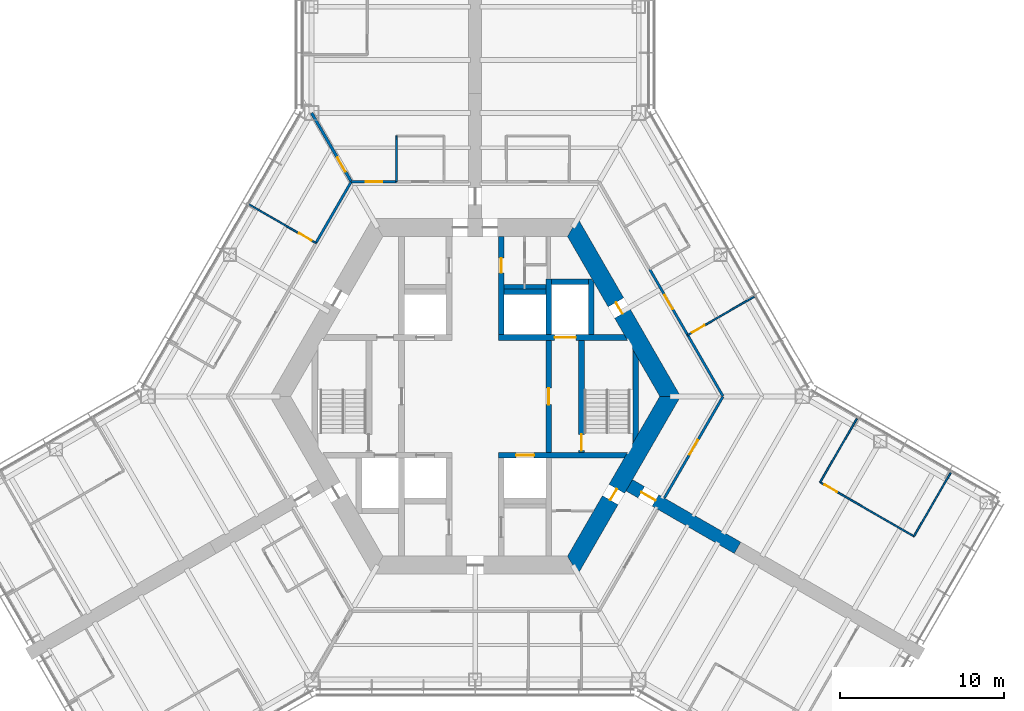
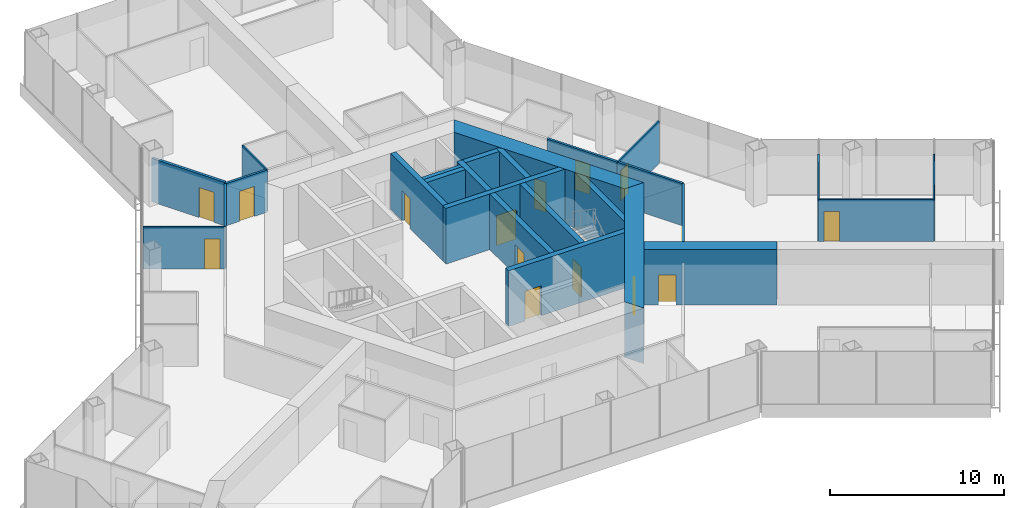
# One storey, part 14 of 18: 26 walls, 15 doors, 15 openings.
"""IFC4 building model written with IfcOpenShell, lengths in metres."""

from ifc_helpers import new_model, si_unit, direction, frame, frame_2d, origin, place, context, subcontext, project, spatial, polyline, rectangle, outline, extrude, material, layer, layer_set, type_object, element, fill, save


model = new_model("IFC4")

# Units and contexts
model_context = context("Model", 3, precision=1e-05, world=origin(), true_north=direction((0.0, 1.0)))
body_context = subcontext(model_context, "Body", "Model", "MODEL_VIEW")
ifc_project = project(units=[si_unit("LENGTHUNIT", "METRE"), si_unit("AREAUNIT", "SQUARE_METRE"), si_unit("VOLUMEUNIT", "CUBIC_METRE"), si_unit("PLANEANGLEUNIT", "RADIAN"), si_unit("MASSUNIT", "GRAM", prefix="KILO")], contexts=[model_context])

# Site, building, storey
site_placement = place(None, origin())
site = spatial("IfcSite", under=ifc_project, at=site_placement, CompositionType="ELEMENT")
building_placement = place(site_placement, origin())
building = spatial("IfcBuilding", under=site, at=building_placement, Name="Kasaneha Research Tower", CompositionType="ELEMENT")
storey_placement = place(building_placement, frame((0.0, 0.0, 108.0)))
storey = spatial("IfcBuildingStorey", under=building, at=storey_placement, Name="L27", CompositionType="ELEMENT", Elevation=108.0)

# Wall, opening, door
ifc_material_1 = material(Name="Concrete Fc80", Category="concrete")
ifc_layer_1 = layer(ifc_material_1, 0.35009765625)
ifc_layer_set_1 = layer_set([ifc_layer_1], Name="Core internal wall 350 Fc80")
wall_type_1 = type_object("IfcWallType", Name="Core internal wall 350 Fc80", PredefinedType="SHEAR", material=ifc_layer_set_1)
wall_1_placement = place(storey_placement, frame((1.425048828125, 3.60009765625, 0.0), z_axis=(0.0, 0.0, 1.0), x_axis=(1.0, 0.0, 0.0)))
wall_1 = element("IfcWall", 1, at=wall_1_placement, inside=storey, type_object=wall_type_1, Name="Core wall W1E L27", PredefinedType="SHEAR", context=body_context, shape_type="SweptSolid", body=[
    extrude(outline(polyline([(0.0, -0.175048828125), (3.425048828125, -0.175048828125), (4.72509765625, -0.175048828125), (7.884765625, -0.175048828125), (7.6826171875, 0.175048828125), (4.72509765625, 0.175048828125), (3.425048828125, 0.175048828125), (0.0, 0.175048828125), (0.0, -0.175048828125)])), origin(), (0.0, 0.0, 1.0), 3.89990234375),
])
opening_1_placement = place(wall_1_placement, frame((3.425048828125, 0.0, 0.0)))
opening_1 = element("IfcOpeningElement", 2, at=opening_1_placement, cuts=wall_1, Name="Opening LD-FL1-L27", PredefinedType="OPENING", context=body_context, shape_type="SweptSolid", body=[
    extrude(rectangle(XDim=1.300048828125, YDim=2.10009765625, at=frame_2d((0.64990234375, 1.050048828125))), frame((0.0, 0.18505859375, 0.0), z_axis=(0.0, -1.0, 0.0), x_axis=(1.0, 0.0, 0.0)), (0.0, 0.0, 1.0), 0.3701171875),
])
ifc_material_2 = material(Name="Steel", Category="steel")
door_type_1 = type_object("IfcDoorType", Name="Lift landing door 1300x2100", OperationType="DOUBLE_DOOR_SLIDING", PredefinedType="DOOR", material=ifc_material_2)
door_1_placement = place(opening_1_placement, origin())
door_1 = element("IfcDoor", 3, at=door_1_placement, inside=storey, type_object=door_type_1, Name="Landing door FL1 LD-FL1-L27", OperationType="DOUBLE_DOOR_SLIDING", OverallHeight=2.10009765625, OverallWidth=1.300048828125, PredefinedType="DOOR", context=body_context, shape_type="SweptSolid", body=[
    extrude(rectangle(XDim=1.300048828125, YDim=2.10009765625, at=frame_2d((0.64990234375, 1.050048828125))), frame((0.0, 0.02490234375, 0.0), z_axis=(0.0, -1.0, 0.0), x_axis=(1.0, 0.0, 0.0)), (0.0, 0.0, 1.0), 0.050048828125),
])
fill(opening_1, door_1)

wall_2_placement = place(storey_placement, frame((1.425048828125, -3.60009765625, 0.0), z_axis=(0.0, 0.0, 1.0), x_axis=(1.0, 0.0, 0.0)))
wall_2 = element("IfcWall", 4, at=wall_2_placement, inside=storey, type_object=wall_type_1, Name="Core wall W2E L27", PredefinedType="SHEAR", context=body_context, shape_type="SweptSolid", body=[
    extrude(outline(polyline([(0.0, -0.175048828125), (1.074951171875, -0.175048828125), (2.175048828125, -0.175048828125), (7.6826171875, -0.175048828125), (7.884765625, 0.175048828125), (2.175048828125, 0.175048828125), (1.074951171875, 0.175048828125), (0.0, 0.175048828125), (0.0, -0.175048828125)])), origin(), (0.0, 0.0, 1.0), 3.89990234375),
])
opening_2_placement = place(wall_2_placement, frame((1.074951171875, 0.0, 0.0)))
opening_2 = element("IfcOpeningElement", 5, at=opening_2_placement, cuts=wall_2, Name="Opening LD-LO3-L27", PredefinedType="OPENING", context=body_context, shape_type="SweptSolid", body=[
    extrude(rectangle(XDim=1.10009765625, YDim=2.10009765625, at=frame_2d((0.550048828125, 1.050048828125))), frame((0.0, 0.18505859375, 0.0), z_axis=(0.0, -1.0, 0.0), x_axis=(1.0, 0.0, 0.0)), (0.0, 0.0, 1.0), 0.3701171875),
])
ifc_material_3 = material(Name="Steel", Category="steel")
door_type_2 = type_object("IfcDoorType", Name="Lift landing door 1100x2100", OperationType="DOUBLE_DOOR_SLIDING", PredefinedType="DOOR", material=ifc_material_3)
door_2_placement = place(opening_2_placement, origin())
door_2 = element("IfcDoor", 6, at=door_2_placement, inside=storey, type_object=door_type_2, Name="Landing door LO3 LD-LO3-L27", OperationType="DOUBLE_DOOR_SLIDING", OverallHeight=2.10009765625, OverallWidth=1.10009765625, PredefinedType="DOOR", context=body_context, shape_type="SweptSolid", body=[
    extrude(rectangle(XDim=1.10009765625, YDim=2.10009765625, at=frame_2d((0.550048828125, 1.050048828125))), frame((0.0, 0.02490234375, 0.0), z_axis=(0.0, -1.0, 0.0), x_axis=(1.0, 0.0, 0.0)), (0.0, 0.0, 1.0), 0.050048828125),
])
fill(opening_2, door_2)

wall_3_placement = place(storey_placement, frame((1.60009765625, 3.77490234375, 0.0), z_axis=(0.0, 0.0, 1.0), x_axis=(0.0, 1.0, 0.0)))
wall_3 = element("IfcWall", 7, at=wall_3_placement, inside=storey, type_object=wall_type_1, Name="Core wall CNE L27", PredefinedType="SHEAR", context=body_context, shape_type="SweptSolid", body=[
    extrude(rectangle(XDim=6.0, YDim=0.35009765625, at=frame_2d((3.0, 0.0))), origin(), (0.0, 0.0, 1.0), 3.89990234375),
])
opening_3_placement = place(wall_3_placement, frame((3.77490234375, 0.0, 0.0)))
opening_3 = element("IfcOpeningElement", 8, at=opening_3_placement, cuts=wall_3, Name="Opening L27-D14", PredefinedType="OPENING", context=body_context, shape_type="SweptSolid", body=[
    extrude(rectangle(XDim=0.89990234375, YDim=2.10009765625, at=frame_2d((0.449951171875, 1.050048828125))), frame((0.0, 0.18505859375, 0.0), z_axis=(0.0, -1.0, 0.0), x_axis=(1.0, 0.0, 0.0)), (0.0, 0.0, 1.0), 0.3701171875),
])
ifc_material_4 = material(Name="Steel", Category="steel")
door_type_3 = type_object("IfcDoorType", Name="Toilet door FD20 900x2100", OperationType="NOTDEFINED", PredefinedType="DOOR", material=ifc_material_4)
door_3_placement = place(opening_3_placement, origin())
door_3 = element("IfcDoor", 9, at=door_3_placement, inside=storey, type_object=door_type_3, Name="Women's WC door L27-D14", OperationType="SINGLE_SWING_LEFT", OverallHeight=2.10009765625, OverallWidth=0.89990234375, PredefinedType="DOOR", context=body_context, shape_type="SweptSolid", body=[
    extrude(rectangle(XDim=0.89990234375, YDim=2.10009765625, at=frame_2d((0.449951171875, 1.050048828125))), frame((0.0, 0.02490234375, 0.0), z_axis=(0.0, -1.0, 0.0), x_axis=(1.0, 0.0, 0.0)), (0.0, 0.0, 1.0), 0.050048828125),
])
fill(opening_3, door_3)

wall_4_placement = place(storey_placement, frame((4.5, -3.425048828125, 0.0), z_axis=(0.0, 0.0, 1.0), x_axis=(0.0, 1.0, 0.0)))
wall_4 = element("IfcWall", 10, at=wall_4_placement, inside=storey, type_object=wall_type_1, Name="Core wall LBE L27", PredefinedType="SHEAR", context=body_context, shape_type="SweptSolid", body=[
    extrude(rectangle(XDim=6.85009765625, YDim=0.35009765625, at=frame_2d((3.425048828125, 0.0))), origin(), (0.0, 0.0, 1.0), 3.89990234375),
])
opening_4_placement = place(wall_4_placement, frame((2.925048828125, 0.0, 0.0)))
opening_4 = element("IfcOpeningElement", 11, at=opening_4_placement, cuts=wall_4, Name="Opening L27-D08", PredefinedType="OPENING", context=body_context, shape_type="SweptSolid", body=[
    extrude(rectangle(XDim=1.0, YDim=2.10009765625, at=frame_2d((0.5, 1.050048828125))), frame((0.0, 0.18505859375, 0.0), z_axis=(0.0, -1.0, 0.0), x_axis=(1.0, 0.0, 0.0)), (0.0, 0.0, 1.0), 0.3701171875),
])
ifc_material_5 = material(Name="Steel", Category="steel")
door_type_4 = type_object("IfcDoorType", Name="Specified fire door FD60 1000x2100", OperationType="NOTDEFINED", PredefinedType="DOOR", material=ifc_material_5)
door_4_placement = place(opening_4_placement, origin())
door_4 = element("IfcDoor", 12, at=door_4_placement, inside=storey, type_object=door_type_4, Name="Lift lobby door east L27-D08", OperationType="SINGLE_SWING_LEFT", OverallHeight=2.10009765625, OverallWidth=1.0, PredefinedType="DOOR", context=body_context, shape_type="SweptSolid", body=[
    extrude(rectangle(XDim=1.0, YDim=2.10009765625, at=frame_2d((0.5, 1.050048828125))), frame((0.0, 0.02490234375, 0.0), z_axis=(0.0, -1.0, 0.0), x_axis=(1.0, 0.0, 0.0)), (0.0, 0.0, 1.0), 0.050048828125),
])
fill(opening_4, door_4)

wall_5_placement = place(storey_placement, frame((6.5, -3.425048828125, 0.0), z_axis=(0.0, 0.0, 1.0), x_axis=(0.0, 1.0, 0.0)))
wall_5 = element("IfcWall", 13, at=wall_5_placement, inside=storey, type_object=wall_type_1, Name="Core wall ANE L27", PredefinedType="SHEAR", context=body_context, shape_type="SweptSolid", body=[
    extrude(rectangle(XDim=6.85009765625, YDim=0.35009765625, at=frame_2d((3.425048828125, 0.0))), origin(), (0.0, 0.0, 1.0), 3.89990234375),
])
opening_5_placement = place(wall_5_placement, frame((0.10009765625, 0.0, 0.0)))
opening_5 = element("IfcOpeningElement", 14, at=opening_5_placement, cuts=wall_5, Name="Opening L27-D10", PredefinedType="OPENING", context=body_context, shape_type="SweptSolid", body=[
    extrude(rectangle(XDim=1.0, YDim=2.10009765625, at=frame_2d((0.5, 1.050048828125))), frame((0.0, 0.18505859375, 0.0), z_axis=(0.0, -1.0, 0.0), x_axis=(1.0, 0.0, 0.0)), (0.0, 0.0, 1.0), 0.3701171875),
])
door_5_placement = place(opening_5_placement, origin())
door_5 = element("IfcDoor", 15, at=door_5_placement, inside=storey, type_object=door_type_4, Name="Stair 1 door L27-D10", OperationType="SINGLE_SWING_LEFT", OverallHeight=2.10009765625, OverallWidth=1.0, PredefinedType="DOOR", context=body_context, shape_type="SweptSolid", body=[
    extrude(rectangle(XDim=1.0, YDim=2.10009765625, at=frame_2d((0.5, 1.050048828125))), frame((0.0, 0.02490234375, 0.0), z_axis=(0.0, -1.0, 0.0), x_axis=(1.0, 0.0, 0.0)), (0.0, 0.0, 1.0), 0.050048828125),
])
fill(opening_5, door_5)

# Walls
wall_6_placement = place(storey_placement, frame((4.5, 3.77490234375, 0.0), z_axis=(0.0, 0.0, 1.0), x_axis=(0.0, 1.0, 0.0)))
element("IfcWall", 16, at=wall_6_placement, inside=storey, type_object=wall_type_1, Name="Core wall FNE L27", PredefinedType="SHEAR", context=body_context, shape_type="SweptSolid", body=[
    extrude(rectangle(XDim=3.400146484375, YDim=0.35009765625, at=frame_2d((1.7001953125, 0.0))), origin(), (0.0, 0.0, 1.0), 3.89990234375),
])
wall_7_placement = place(storey_placement, frame((1.77490234375, 6.39990234375, 0.0), z_axis=(0.0, 0.0, 1.0), x_axis=(1.0, 0.0, 0.0)))
element("IfcWall", 17, at=wall_7_placement, inside=storey, type_object=wall_type_1, Name="Core wall N3N L27", PredefinedType="SHEAR", context=body_context, shape_type="SweptSolid", body=[
    extrude(rectangle(XDim=2.550048828125, YDim=0.35009765625, at=frame_2d((1.27490234375, 0.0))), origin(), (0.0, 0.0, 1.0), 3.89990234375),
])
wall_8_placement = place(storey_placement, frame((4.675048828125, 7.0, 0.0), z_axis=(0.0, 0.0, 1.0), x_axis=(1.0, 0.0, 0.0)))
element("IfcWall", 18, at=wall_8_placement, inside=storey, type_object=wall_type_1, Name="Core wall F1N L27", PredefinedType="SHEAR", context=body_context, shape_type="SweptSolid", body=[
    extrude(rectangle(XDim=2.25, YDim=0.35009765625, at=frame_2d((1.125, 0.0))), origin(), (0.0, 0.0, 1.0), 3.89990234375),
])
wall_9_placement = place(storey_placement, frame((7.10009765625, 3.77490234375, 0.0), z_axis=(0.0, 0.0, 1.0), x_axis=(0.0, 1.0, 0.0)))
element("IfcWall", 19, at=wall_9_placement, inside=storey, type_object=wall_type_1, Name="Core wall F1E L27", PredefinedType="SHEAR", context=body_context, shape_type="SweptSolid", body=[
    extrude(outline(polyline([(0.0, -0.175048828125), (3.174560546875, -0.175048828125), (3.400146484375, 0.0), (3.400146484375, 0.175048828125), (0.0, 0.175048828125), (0.0, -0.175048828125)])), origin(), (0.0, 0.0, 1.0), 3.89990234375),
])
wall_10_placement = place(storey_placement, frame((9.807861328125, -2.562255859375, 0.0), z_axis=(0.0, 0.0, 1.0), x_axis=(0.0, 1.0, 0.0)))
element("IfcWall", 20, at=wall_10_placement, inside=storey, type_object=wall_type_1, Name="Core wall STE L27", PredefinedType="SHEAR", context=body_context, shape_type="SweptSolid", body=[
    extrude(outline(polyline([(0.30322265625, -0.175048828125), (4.8212890625, -0.175048828125), (5.427734375, 0.175048828125), (-0.30322265625, 0.175048828125), (0.30322265625, -0.175048828125)])), origin(), (0.0, 0.0, 1.0), 3.89990234375),
])

# Wall, opening, door
ifc_material_6 = material(Name="Concrete Fc80", Category="concrete")
ifc_layer_2 = layer(ifc_material_6, 1.10009765625)
ifc_layer_set_2 = layer_set([ifc_layer_2], Name="Core wall 1100 Fc80")
wall_type_2 = type_object("IfcWallType", Name="Core wall 1100 Fc80", PredefinedType="SHEAR", material=ifc_layer_set_2)
wall_11_placement = place(storey_placement, frame((11.92236328125, 0.0, 0.0), z_axis=(0.0, 0.0, 1.0), x_axis=(-0.500004296715, 0.866022923061, 0.0)))
wall_11 = element("IfcWall", 21, at=wall_11_placement, inside=storey, type_object=wall_type_2, Name="Core wall 030 L27", PredefinedType="SHEAR", context=body_context, shape_type="SweptSolid", body=[
    extrude(outline(polyline([(-0.317626953125, -0.550048828125), (5.83544921875, -0.550048828125), (6.635498046875, -0.550048828125), (12.239990234375, -0.550048828125), (11.604736328125, 0.550048828125), (6.635498046875, 0.550048828125), (5.83544921875, 0.550048828125), (0.317626953125, 0.550048828125), (-0.317626953125, -0.550048828125)])), origin(), (0.0, 0.0, 1.0), 3.89990234375),
])
opening_6_placement = place(wall_11_placement, frame((5.83544921875, 0.0, 0.0)))
opening_6 = element("IfcOpeningElement", 22, at=opening_6_placement, cuts=wall_11, Name="Opening L27-D04", PredefinedType="OPENING", context=body_context, shape_type="SweptSolid", body=[
    extrude(rectangle(XDim=0.800048828125, YDim=2.10009765625, at=frame_2d((0.39990234375, 1.050048828125))), frame((0.0, 0.56005859375, 0.0), z_axis=(0.0, -1.0, 0.0), x_axis=(1.0, 0.0, 0.0)), (0.0, 0.0, 1.0), 1.1201171875),
])
ifc_material_7 = material(Name="Steel", Category="steel")
door_type_5 = type_object("IfcDoorType", Name="Riser access door FD60 800x2100", OperationType="NOTDEFINED", PredefinedType="DOOR", material=ifc_material_7)
door_6_placement = place(opening_6_placement, origin())
door_6 = element("IfcDoor", 23, at=door_6_placement, inside=storey, type_object=door_type_5, Name="Pipe riser door L27-D04", OperationType="SINGLE_SWING_RIGHT", OverallHeight=2.10009765625, OverallWidth=0.800048828125, PredefinedType="DOOR", context=body_context, shape_type="SweptSolid", body=[
    extrude(rectangle(XDim=0.800048828125, YDim=2.10009765625, at=frame_2d((0.39990234375, 1.050048828125))), frame((0.0, 0.02490234375, 0.0), z_axis=(0.0, -1.0, 0.0), x_axis=(1.0, 0.0, 0.0)), (0.0, 0.0, 1.0), 0.050048828125),
])
fill(opening_6, door_6)

wall_12_placement = place(storey_placement, frame((5.961181640625, -10.324951171875, 0.0), z_axis=(0.0, 0.0, 1.0), x_axis=(0.500004296715, 0.866022923061, 0.0)))
wall_12 = element("IfcWall", 24, at=wall_12_placement, inside=storey, type_object=wall_type_2, Name="Core wall 330 L27", PredefinedType="SHEAR", context=body_context, shape_type="SweptSolid", body=[
    extrude(outline(polyline([(-0.317626953125, -0.550048828125), (4.593994140625, -0.550048828125), (5.39404296875, -0.550048828125), (12.239990234375, -0.550048828125), (11.604736328125, 0.550048828125), (5.39404296875, 0.550048828125), (4.593994140625, 0.550048828125), (0.317626953125, 0.550048828125), (-0.317626953125, -0.550048828125)])), origin(), (0.0, 0.0, 1.0), 3.89990234375),
])
opening_7_placement = place(wall_12_placement, frame((4.593994140625, 0.0, 0.0)))
opening_7 = element("IfcOpeningElement", 25, at=opening_7_placement, cuts=wall_12, Name="Opening L27-D05", PredefinedType="OPENING", context=body_context, shape_type="SweptSolid", body=[
    extrude(rectangle(XDim=0.800048828125, YDim=2.10009765625, at=frame_2d((0.39990234375, 1.050048828125))), frame((0.0, 0.56005859375, 0.0), z_axis=(0.0, -1.0, 0.0), x_axis=(1.0, 0.0, 0.0)), (0.0, 0.0, 1.0), 1.1201171875),
])
door_7_placement = place(opening_7_placement, origin())
door_7 = element("IfcDoor", 26, at=door_7_placement, inside=storey, type_object=door_type_5, Name="Pipe riser door L27-D05", OperationType="SINGLE_SWING_LEFT", OverallHeight=2.10009765625, OverallWidth=0.800048828125, PredefinedType="DOOR", context=body_context, shape_type="SweptSolid", body=[
    extrude(rectangle(XDim=0.800048828125, YDim=2.10009765625, at=frame_2d((0.39990234375, 1.050048828125))), frame((0.0, 0.02490234375, 0.0), z_axis=(0.0, -1.0, 0.0), x_axis=(1.0, 0.0, 0.0)), (0.0, 0.0, 1.0), 0.050048828125),
])
fill(opening_7, door_7)

ifc_material_8 = material(Name="Gypsum board on steel studs, one layer each side", Category="steel")
ifc_layer_3 = layer(ifc_material_8, 0.10009765625)
ifc_layer_set_3 = layer_set([ifc_layer_3], Name="Office partition 100")
wall_type_3 = type_object("IfcWallType", Name="Office partition 100", PredefinedType="PARTITIONING", material=ifc_layer_set_3)
wall_13_placement = place(storey_placement, frame((12.991943359375, 3.747314453125, 0.0), z_axis=(0.0, 0.0, 1.0), x_axis=(0.865555596133, 0.500812849279, 0.0)))
wall_13 = element("IfcWall", 27, at=wall_13_placement, inside=storey, type_object=wall_type_3, Name="Office partition FAE14 L27", PredefinedType="PARTITIONING", context=body_context, shape_type="SweptSolid", body=[
    extrude(rectangle(XDim=4.695556640625, YDim=0.10009765625, at=frame_2d((2.34765625, 0.0))), origin(), (0.0, 0.0, 1.0), 2.949951171875),
])
opening_8_placement = place(wall_13_placement, frame((0.300048828125, 0.0, 0.0)))
opening_8 = element("IfcOpeningElement", 28, at=opening_8_placement, cuts=wall_13, Name="Opening L27-D28", PredefinedType="OPENING", context=body_context, shape_type="SweptSolid", body=[
    extrude(rectangle(XDim=0.89990234375, YDim=2.10009765625, at=frame_2d((0.449951171875, 1.050048828125))), frame((0.0, 0.06005859375, 0.0), z_axis=(0.0, -1.0, 0.0), x_axis=(1.0, 0.0, 0.0)), (0.0, 0.0, 1.0), 0.1201171875),
])
ifc_material_9 = material(Name="Timber veneer", Category="wood")
door_type_6 = type_object("IfcDoorType", Name="Office door 900x2100", OperationType="SINGLE_SWING_LEFT", PredefinedType="DOOR", material=ifc_material_9)
door_8_placement = place(opening_8_placement, origin())
door_8 = element("IfcDoor", 29, at=door_8_placement, inside=storey, type_object=door_type_6, Name="Board meeting room door L27-D28", OperationType="SINGLE_SWING_LEFT", OverallHeight=2.10009765625, OverallWidth=0.89990234375, PredefinedType="DOOR", context=body_context, shape_type="SweptSolid", body=[
    extrude(rectangle(XDim=0.89990234375, YDim=2.10009765625, at=frame_2d((0.449951171875, 1.050048828125))), frame((0.0, 0.02490234375, 0.0), z_axis=(0.0, -1.0, 0.0), x_axis=(1.0, 0.0, 0.0)), (0.0, 0.0, 1.0), 0.050048828125),
])
fill(opening_8, door_8)

# Wall
wall_14_placement = place(storey_placement, frame((-4.8125, 13.125, 0.0), z_axis=(0.0, 0.0, 1.0), x_axis=(-0.001569446145, 0.999998768419, 0.0)))
element("IfcWall", 30, at=wall_14_placement, inside=storey, type_object=wall_type_3, Name="Office partition FAW05 L27", PredefinedType="PARTITIONING", context=body_context, shape_type="SweptSolid", body=[
    extrude(rectangle(XDim=2.800048828125, YDim=0.10009765625, at=frame_2d((1.39990234375, 0.0))), origin(), (0.0, 0.0, 1.0), 2.949951171875),
])

# Wall, opening, door
wall_15_placement = place(storey_placement, frame((-9.7412109375, 9.377685546875, 0.0), z_axis=(0.0, 0.0, 1.0), x_axis=(-0.866493666502, 0.499188066675, 0.0)))
wall_15 = element("IfcWall", 31, at=wall_15_placement, inside=storey, type_object=wall_type_3, Name="Office partition FBN04 L27", PredefinedType="PARTITIONING", context=body_context, shape_type="SweptSolid", body=[
    extrude(rectangle(XDim=4.720458984375, YDim=0.10009765625, at=frame_2d((2.3603515625, 0.0))), origin(), (0.0, 0.0, 1.0), 2.949951171875),
])
opening_9_placement = place(wall_15_placement, frame((0.300048828125, 0.0, 0.0)))
opening_9 = element("IfcOpeningElement", 32, at=opening_9_placement, cuts=wall_15, Name="Opening L27-D35", PredefinedType="OPENING", context=body_context, shape_type="SweptSolid", body=[
    extrude(rectangle(XDim=0.89990234375, YDim=2.10009765625, at=frame_2d((0.449951171875, 1.050048828125))), frame((0.0, 0.06005859375, 0.0), z_axis=(0.0, -1.0, 0.0), x_axis=(1.0, 0.0, 0.0)), (0.0, 0.0, 1.0), 0.1201171875),
])
door_9_placement = place(opening_9_placement, origin())
door_9 = element("IfcDoor", 33, at=door_9_placement, inside=storey, type_object=door_type_6, Name="Reception room door L27-D35", OperationType="SINGLE_SWING_LEFT", OverallHeight=2.10009765625, OverallWidth=0.89990234375, PredefinedType="DOOR", context=body_context, shape_type="SweptSolid", body=[
    extrude(rectangle(XDim=0.89990234375, YDim=2.10009765625, at=frame_2d((0.449951171875, 1.050048828125))), frame((0.0, 0.02490234375, 0.0), z_axis=(0.0, -1.0, 0.0), x_axis=(1.0, 0.0, 0.0)), (0.0, 0.0, 1.0), 0.050048828125),
])
fill(opening_9, door_9)

# Wall
wall_16_placement = place(storey_placement, frame((21.09228515625, -5.24951171875, 0.0), z_axis=(0.0, 0.0, 1.0), x_axis=(0.499989762656, 0.866031314237, 0.0)))
element("IfcWall", 34, at=wall_16_placement, inside=storey, type_object=wall_type_3, Name="Office partition FCE02 L27", PredefinedType="PARTITIONING", context=body_context, shape_type="SweptSolid", body=[
    extrude(rectangle(XDim=4.47998046875, YDim=0.10009765625, at=frame_2d((2.239990234375, 0.0))), origin(), (0.0, 0.0, 1.0), 2.949951171875),
])

# Wall, opening, door
wall_17_placement = place(storey_placement, frame((26.824951171875, -8.55908203125, 0.0), z_axis=(0.0, 0.0, 1.0), x_axis=(-0.866037567856, 0.499978930619, 0.0)))
wall_17 = element("IfcWall", 35, at=wall_17_placement, inside=storey, type_object=wall_type_3, Name="Office partition FCE03 L27", PredefinedType="PARTITIONING", context=body_context, shape_type="SweptSolid", body=[
    extrude(rectangle(XDim=6.619384765625, YDim=0.10009765625, at=frame_2d((3.3095703125, 0.0))), origin(), (0.0, 0.0, 1.0), 2.949951171875),
])
opening_10_placement = place(wall_17_placement, frame((5.419677734375, 0.0, 0.0)))
opening_10 = element("IfcOpeningElement", 36, at=opening_10_placement, cuts=wall_17, Name="Opening L27-D45", PredefinedType="OPENING", context=body_context, shape_type="SweptSolid", body=[
    extrude(rectangle(XDim=0.89990234375, YDim=2.10009765625, at=frame_2d((0.449951171875, 1.050048828125))), frame((0.0, 0.06005859375, 0.0), z_axis=(0.0, -1.0, 0.0), x_axis=(1.0, 0.0, 0.0)), (0.0, 0.0, 1.0), 0.1201171875),
])
door_10_placement = place(opening_10_placement, origin())
door_10 = element("IfcDoor", 37, at=door_10_placement, inside=storey, type_object=door_type_6, Name="Large meeting room door L27-D45", OperationType="SINGLE_SWING_RIGHT", OverallHeight=2.10009765625, OverallWidth=0.89990234375, PredefinedType="DOOR", context=body_context, shape_type="SweptSolid", body=[
    extrude(rectangle(XDim=0.89990234375, YDim=2.10009765625, at=frame_2d((0.449951171875, 1.050048828125))), frame((0.0, 0.02490234375, 0.0), z_axis=(0.0, -1.0, 0.0), x_axis=(1.0, 0.0, 0.0)), (0.0, 0.0, 1.0), 0.050048828125),
])
fill(opening_10, door_10)

# Wall
wall_18_placement = place(storey_placement, frame((29.074951171875, -4.662109375, 0.0), z_axis=(0.0, 0.0, 1.0), x_axis=(-0.500013631625, -0.866017533419, 0.0)))
element("IfcWall", 38, at=wall_18_placement, inside=storey, type_object=wall_type_3, Name="Office partition FCE04 L27", PredefinedType="PARTITIONING", context=body_context, shape_type="SweptSolid", body=[
    extrude(rectangle(XDim=4.499755859375, YDim=0.10009765625, at=frame_2d((2.25, 0.0))), origin(), (0.0, 0.0, 1.0), 2.949951171875),
])

# Wall, opening, door
ifc_material_10 = material(Name="Concrete Fc80", Category="concrete")
ifc_layer_4 = layer(ifc_material_10, 0.800048828125)
ifc_layer_set_4 = layer_set([ifc_layer_4], Name="Spine wall 800 Fc80")
wall_type_4 = type_object("IfcWallType", Name="Spine wall 800 Fc80", PredefinedType="SHEAR", material=ifc_layer_set_4)
wall_19_placement = place(storey_placement, frame((9.41796875, -5.4375, 0.0), z_axis=(0.0, 0.0, 1.0), x_axis=(0.866029782078, -0.499992416496, 0.0)))
wall_19 = element("IfcWall", 39, at=wall_19_placement, inside=storey, type_object=wall_type_4, Name="Spine wall C L27", PredefinedType="SHEAR", context=body_context, shape_type="SweptSolid", body=[
    extrude(rectangle(XDim=7.6455078125, YDim=0.800048828125, at=frame_2d((3.82275390625, 0.0))), origin(), (0.0, 0.0, 1.0), 3.89990234375),
])
opening_11_placement = place(wall_19_placement, frame((0.85009765625, 0.0, 0.0)))
opening_11 = element("IfcOpeningElement", 40, at=opening_11_placement, cuts=wall_19, Name="Opening L27-D19", PredefinedType="OPENING", context=body_context, shape_type="SweptSolid", body=[
    extrude(rectangle(XDim=1.0, YDim=2.10009765625, at=frame_2d((0.5, 1.050048828125))), frame((0.0, 0.41015625, 0.0), z_axis=(0.0, -1.0, 0.0), x_axis=(1.0, 0.0, 0.0)), (0.0, 0.0, 1.0), 0.820068359375),
])
door_11_placement = place(opening_11_placement, origin())
door_11 = element("IfcDoor", 41, at=door_11_placement, inside=storey, type_object=door_type_4, Name="Spine doorway C L27-D19", OperationType="SINGLE_SWING_LEFT", OverallHeight=2.10009765625, OverallWidth=1.0, PredefinedType="DOOR", context=body_context, shape_type="SweptSolid", body=[
    extrude(rectangle(XDim=1.0, YDim=2.10009765625, at=frame_2d((0.5, 1.050048828125))), frame((0.0, 0.02490234375, 0.0), z_axis=(0.0, -1.0, 0.0), x_axis=(1.0, 0.0, 0.0)), (0.0, 0.0, 1.0), 0.050048828125),
])
fill(opening_11, door_11)

# Wall
ifc_material_11 = material(Name="Gypsum board on steel studs, two layers each side", Category="steel")
ifc_layer_5 = layer(ifc_material_11, 0.14990234375)
ifc_layer_set_5 = layer_set([ifc_layer_5], Name="Suite partition 150")
wall_type_5 = type_object("IfcWallType", Name="Suite partition 150", PredefinedType="PARTITIONING", material=ifc_layer_set_5)
wall_20_placement = place(storey_placement, frame((12.9873046875, 3.75537109375, 0.0), z_axis=(0.0, 0.0, 1.0), x_axis=(0.499980509014, -0.866036656618, 0.0)))
element("IfcWall", 42, at=wall_20_placement, inside=storey, type_object=wall_type_5, Name="Suite partition FAE03 L27", PredefinedType="PARTITIONING", context=body_context, shape_type="SweptSolid", body=[
    extrude(rectangle(XDim=4.313232421875, YDim=0.14990234375, at=frame_2d((2.15673828125, 0.0))), origin(), (0.0, 0.0, 1.0), 2.949951171875),
])

# Wall, opening, door
wall_21_placement = place(storey_placement, frame((10.664306640625, 7.77880859375, 0.0), z_axis=(0.0, 0.0, 1.0), x_axis=(0.500008456887, -0.866020521143, 0.0)))
wall_21 = element("IfcWall", 43, at=wall_21_placement, inside=storey, type_object=wall_type_5, Name="Suite partition FAE07 L27", PredefinedType="PARTITIONING", context=body_context, shape_type="SweptSolid", body=[
    extrude(rectangle(XDim=4.6552734375, YDim=0.14990234375, at=frame_2d((2.32763671875, 0.0))), origin(), (0.0, 0.0, 1.0), 2.949951171875),
])
opening_12_placement = place(wall_21_placement, frame((1.82763671875, 0.0, 0.0)))
opening_12 = element("IfcOpeningElement", 44, at=opening_12_placement, cuts=wall_21, Name="Opening L27-D26", PredefinedType="OPENING", context=body_context, shape_type="SweptSolid", body=[
    extrude(rectangle(XDim=1.0, YDim=2.10009765625, at=frame_2d((0.5, 1.050048828125))), frame((0.0, 0.0849609375, 0.0), z_axis=(0.0, -1.0, 0.0), x_axis=(1.0, 0.0, 0.0)), (0.0, 0.0, 1.0), 0.169921875),
])
ifc_material_12 = material(Name="Steel", Category="steel")
door_type_7 = type_object("IfcDoorType", Name="Suite entrance door FD60 1000x2100", OperationType="NOTDEFINED", PredefinedType="DOOR", material=ifc_material_12)
door_12_placement = place(opening_12_placement, origin())
door_12 = element("IfcDoor", 45, at=door_12_placement, inside=storey, type_object=door_type_7, Name="Suite entrance door L27-D26", OperationType="SINGLE_SWING_LEFT", OverallHeight=2.10009765625, OverallWidth=1.0, PredefinedType="DOOR", context=body_context, shape_type="SweptSolid", body=[
    extrude(rectangle(XDim=1.0, YDim=2.10009765625, at=frame_2d((0.5, 1.050048828125))), frame((0.0, 0.02490234375, 0.0), z_axis=(0.0, -1.0, 0.0), x_axis=(1.0, 0.0, 0.0)), (0.0, 0.0, 1.0), 0.050048828125),
])
fill(opening_12, door_12)

wall_22_placement = place(storey_placement, frame((-7.5546875, 13.125, 0.0), z_axis=(0.0, 0.0, 1.0), x_axis=(1.0, 0.0, 0.0)))
wall_22 = element("IfcWall", 46, at=wall_22_placement, inside=storey, type_object=wall_type_5, Name="Suite partition FAW02 L27", PredefinedType="PARTITIONING", context=body_context, shape_type="SweptSolid", body=[
    extrude(rectangle(XDim=2.7421875, YDim=0.14990234375, at=frame_2d((1.37109375, 0.0))), origin(), (0.0, 0.0, 1.0), 2.949951171875),
])
opening_13_placement = place(wall_22_placement, frame((0.87109375, 0.0, 0.0)))
opening_13 = element("IfcOpeningElement", 47, at=opening_13_placement, cuts=wall_22, Name="Opening L27-D31", PredefinedType="OPENING", context=body_context, shape_type="SweptSolid", body=[
    extrude(rectangle(XDim=1.0, YDim=2.10009765625, at=frame_2d((0.5, 1.050048828125))), frame((0.0, 0.0849609375, 0.0), z_axis=(0.0, -1.0, 0.0), x_axis=(1.0, 0.0, 0.0)), (0.0, 0.0, 1.0), 0.169921875),
])
door_13_placement = place(opening_13_placement, origin())
door_13 = element("IfcDoor", 48, at=door_13_placement, inside=storey, type_object=door_type_7, Name="Suite entrance door L27-D31", OperationType="SINGLE_SWING_LEFT", OverallHeight=2.10009765625, OverallWidth=1.0, PredefinedType="DOOR", context=body_context, shape_type="SweptSolid", body=[
    extrude(rectangle(XDim=1.0, YDim=2.10009765625, at=frame_2d((0.5, 1.050048828125))), frame((0.0, 0.02490234375, 0.0), z_axis=(0.0, -1.0, 0.0), x_axis=(1.0, 0.0, 0.0)), (0.0, 0.0, 1.0), 0.050048828125),
])
fill(opening_13, door_13)

# Wall
wall_23_placement = place(storey_placement, frame((-9.745849609375, 9.36962890625, 0.0), z_axis=(0.0, 0.0, 1.0), x_axis=(0.499980509014, 0.866036656618, 0.0)))
element("IfcWall", 49, at=wall_23_placement, inside=storey, type_object=wall_type_5, Name="Suite partition FBN01 L27", PredefinedType="PARTITIONING", context=body_context, shape_type="SweptSolid", body=[
    extrude(rectangle(XDim=4.313232421875, YDim=0.14990234375, at=frame_2d((2.15673828125, 0.0))), origin(), (0.0, 0.0, 1.0), 2.949951171875),
])

# Wall, opening, door
wall_24_placement = place(storey_placement, frame((15.143798828125, -0.02001953125, 0.0), z_axis=(0.0, 0.0, 1.0), x_axis=(-0.499985098601, -0.86603400694, 0.0)))
wall_24 = element("IfcWall", 50, at=wall_24_placement, inside=storey, type_object=wall_type_5, Name="Suite partition FCE01 L27", PredefinedType="PARTITIONING", context=body_context, shape_type="SweptSolid", body=[
    extrude(rectangle(XDim=7.134521484375, YDim=0.14990234375, at=frame_2d((3.5673828125, 0.0))), origin(), (0.0, 0.0, 1.0), 2.949951171875),
])
opening_14_placement = place(wall_24_placement, frame((3.0673828125, 0.0, 0.0)))
opening_14 = element("IfcOpeningElement", 51, at=opening_14_placement, cuts=wall_24, Name="Opening L27-D44", PredefinedType="OPENING", context=body_context, shape_type="SweptSolid", body=[
    extrude(rectangle(XDim=1.0, YDim=2.10009765625, at=frame_2d((0.5, 1.050048828125))), frame((0.0, 0.0849609375, 0.0), z_axis=(0.0, -1.0, 0.0), x_axis=(1.0, 0.0, 0.0)), (0.0, 0.0, 1.0), 0.169921875),
])
door_14_placement = place(opening_14_placement, origin())
door_14 = element("IfcDoor", 52, at=door_14_placement, inside=storey, type_object=door_type_7, Name="Suite entrance door L27-D44", OperationType="SINGLE_SWING_LEFT", OverallHeight=2.10009765625, OverallWidth=1.0, PredefinedType="DOOR", context=body_context, shape_type="SweptSolid", body=[
    extrude(rectangle(XDim=1.0, YDim=2.10009765625, at=frame_2d((0.5, 1.050048828125))), frame((0.0, 0.02490234375, 0.0), z_axis=(0.0, -1.0, 0.0), x_axis=(1.0, 0.0, 0.0)), (0.0, 0.0, 1.0), 0.050048828125),
])
fill(opening_14, door_14)

ifc_material_13 = material(Name="Gypsum board on steel studs, two layers each side", Category="steel")
ifc_layer_6 = layer(ifc_material_13, 0.175048828125)
ifc_layer_set_6 = layer_set([ifc_layer_6], Name="Tenancy fire partition 175")
wall_type_6 = type_object("IfcWallType", Name="Tenancy fire partition 175", PredefinedType="PARTITIONING", material=ifc_layer_set_6)
wall_25_placement = place(storey_placement, frame((-7.57763671875, 13.125, 0.0), z_axis=(0.0, 0.0, 1.0), x_axis=(-0.500008905493, 0.866020262135, 0.0)))
wall_25 = element("IfcWall", 53, at=wall_25_placement, inside=storey, type_object=wall_type_6, Name="Tenancy fire partition T120 L27", PredefinedType="PARTITIONING", context=body_context, shape_type="SweptSolid", body=[
    extrude(rectangle(XDim=4.8447265625, YDim=0.175048828125, at=frame_2d((2.42236328125, 0.0))), origin(), (0.0, 0.0, 1.0), 3.050048828125),
])
opening_15_placement = place(wall_25_placement, frame((0.699951171875, 0.0, 0.0)))
opening_15 = element("IfcOpeningElement", 54, at=opening_15_placement, cuts=wall_25, Name="Opening L27-D23", PredefinedType="OPENING", context=body_context, shape_type="SweptSolid", body=[
    extrude(rectangle(XDim=1.0, YDim=2.10009765625, at=frame_2d((0.5, 1.050048828125))), frame((0.0, 0.09765625, 0.0), z_axis=(0.0, -1.0, 0.0), x_axis=(1.0, 0.0, 0.0)), (0.0, 0.0, 1.0), 0.195068359375),
])
door_15_placement = place(opening_15_placement, origin())
door_15 = element("IfcDoor", 55, at=door_15_placement, inside=storey, type_object=door_type_7, Name="Connecting door L27-D23", OperationType="SINGLE_SWING_LEFT", OverallHeight=2.10009765625, OverallWidth=1.0, PredefinedType="DOOR", context=body_context, shape_type="SweptSolid", body=[
    extrude(rectangle(XDim=1.0, YDim=2.10009765625, at=frame_2d((0.5, 1.050048828125))), frame((0.0, 0.02490234375, 0.0), z_axis=(0.0, -1.0, 0.0), x_axis=(1.0, 0.0, 0.0)), (0.0, 0.0, 1.0), 0.050048828125),
])
fill(opening_15, door_15)

# Wall
ifc_material_14 = material(Name="Concrete block lining", Category="concrete")
ifc_layer_7 = layer(ifc_material_14, 0.25)
ifc_layer_set_7 = layer_set([ifc_layer_7], Name="WC plumbing wall 250")
wall_type_7 = type_object("IfcWallType", Name="WC plumbing wall 250", PredefinedType="PLUMBINGWALL", material=ifc_layer_set_7)
wall_26_placement = place(storey_placement, frame((1.77490234375, 6.699951171875, 0.0), z_axis=(0.0, 0.0, 1.0), x_axis=(1.0, 0.0, 0.0)))
element("IfcWall", 56, at=wall_26_placement, inside=storey, type_object=wall_type_7, Name="WC plumbing wall F L27", PredefinedType="PLUMBINGWALL", context=body_context, shape_type="SweptSolid", body=[
    extrude(rectangle(XDim=2.550048828125, YDim=0.25, at=frame_2d((1.27490234375, 0.0))), origin(), (0.0, 0.0, 1.0), 3.89990234375),
])

save(model, "model.ifc")
